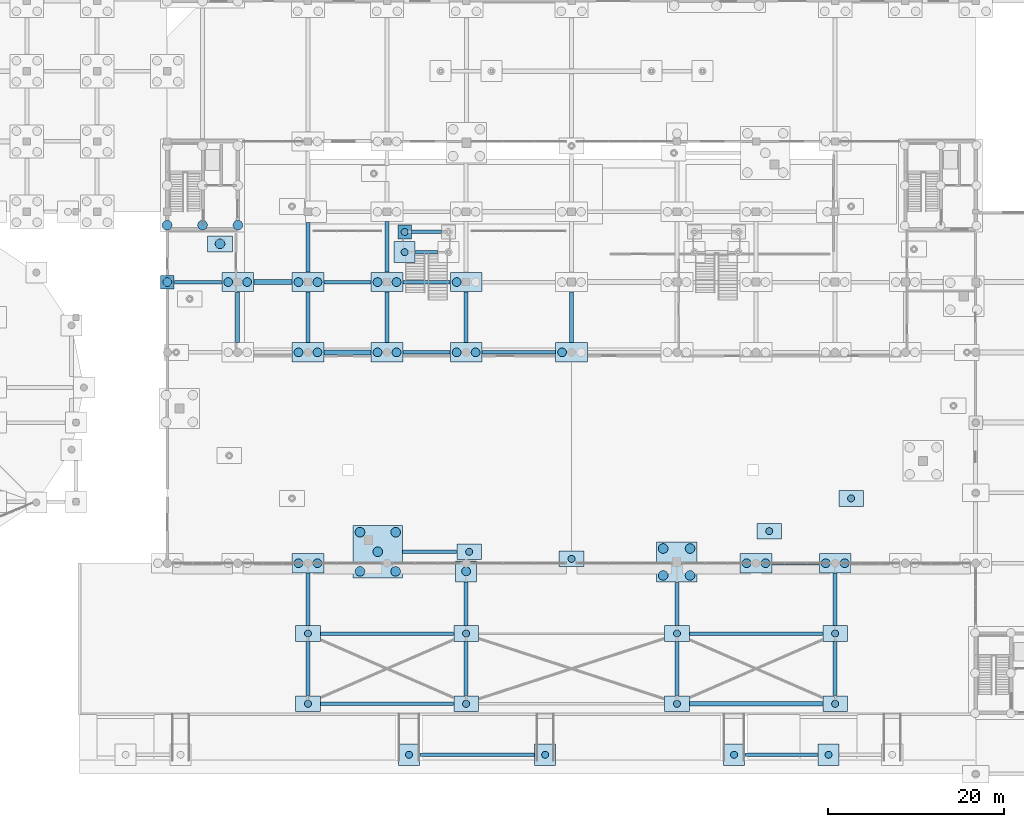
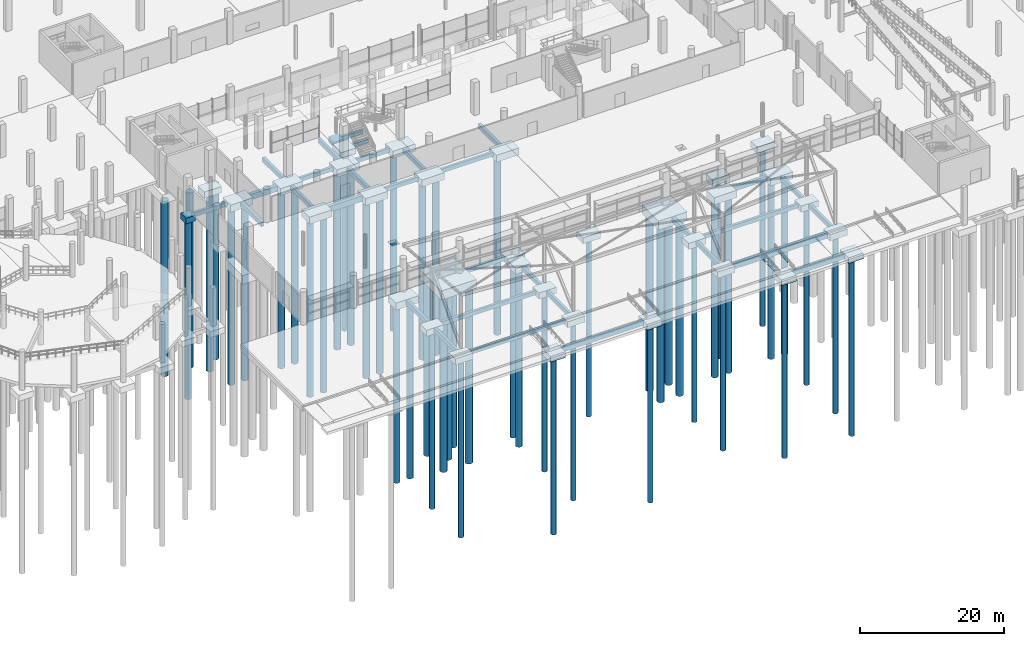
# One storey, part 2 of 98: 66 footings, 53 piles.
"""IFC4 building model written with IfcOpenShell, lengths in metres."""

import ifcopenshell
import ifcopenshell.guid

model = None  # the IFC model being written
_history = None  # IfcOwnerHistory: only IFC2X3 demands one
_inside = {}  # id of a spatial element -> (the spatial element, [elements in it])
_under = {}  # id of a project, library or spatial element -> (it, [spatial elements below it])
_declared = {}  # id of a project -> (the project, [libraries it declares])
_typed = {}  # id of a type object -> (the type object, [elements of that type])
_made_of = {}  # id of a material, layer set ... -> (it, [elements and type objects made of it])


def new_model(schema):
    """Start an empty IFC model of exactly this schema.

    Asked for "IFC4X3", IfcOpenShell would pick the latest addendum, in which some entities
    have other attributes; the version numbers below select the first issue.
    IFC2X3 requires an IfcOwnerHistory on every rooted entity: one is made here for all.
    """
    global model, _history
    if schema == "IFC4X3":
        model = ifcopenshell.file(schema_version=(4, 3, 0, 0))
    else:
        model = ifcopenshell.file(schema=schema)
    _inside.clear()
    _under.clear()
    _declared.clear()
    _typed.clear()
    _made_of.clear()
    _history = None
    if model.schema == "IFC2X3":
        org = make("IfcOrganization", Name="unknown")
        user = make(
            "IfcPersonAndOrganization",
            ThePerson=make("IfcPerson", FamilyName="unknown"),
            TheOrganization=org,
        )
        app = make(
            "IfcApplication",
            ApplicationDeveloper=org,
            Version="unknown",
            ApplicationFullName="unknown",
            ApplicationIdentifier="unknown",
        )
        _history = make(
            "IfcOwnerHistory",
            OwningUser=user,
            OwningApplication=app,
            ChangeAction="ADDED",
            CreationDate=0,
        )
    return model


def make(cls, **values):
    """One entity of the class cls with the attributes given. An attribute that is None is left unset."""
    return model.create_entity(
        cls, **{name: value for name, value in values.items() if value is not None}
    )


def rooted(cls, **values):
    """An entity with a GlobalId (a new one), such as an element, a storey or a relation."""
    return make(cls, GlobalId=ifcopenshell.guid.new(), OwnerHistory=_history, **values)


def si_unit(unit_type, name, prefix=None):
    """IfcSIUnit, for example si_unit("LENGTHUNIT", "METRE", prefix="MILLI")."""
    return make("IfcSIUnit", UnitType=unit_type, Prefix=prefix, Name=name)


def derived_unit(unit_type, elements):
    """IfcDerivedUnit: a product of units, each with its exponent."""
    return make(
        "IfcDerivedUnit",
        Elements=[
            make("IfcDerivedUnitElement", Unit=unit, Exponent=power)
            for unit, power in elements
        ],
        UnitType=unit_type,
    )


def assignment(units):
    """IfcUnitAssignment: the units of a project."""
    return None if units is None else make("IfcUnitAssignment", Units=units)


def point(xyz):
    """IfcCartesianPoint."""
    return None if xyz is None else make("IfcCartesianPoint", Coordinates=xyz)


def direction(xyz):
    """IfcDirection."""
    return None if xyz is None else make("IfcDirection", DirectionRatios=xyz)


def frame(location, z_axis=None, x_axis=None):
    """IfcAxis2Placement3D, a coordinate frame: its origin and axes. An axis left out is left unset."""
    return make(
        "IfcAxis2Placement3D",
        Location=point(location),
        Axis=direction(z_axis),
        RefDirection=direction(x_axis),
    )


def frame_2d(location, x_axis=None):
    """IfcAxis2Placement2D, a coordinate frame in the plane: its origin and x axis."""
    return make(
        "IfcAxis2Placement2D", Location=point(location), RefDirection=direction(x_axis)
    )


def origin():
    """The frame at (0, 0, 0) with its axes left unset."""
    return frame((0.0, 0.0, 0.0))


def origin_2d():
    """The frame at (0, 0) in the plane with its x axis left unset."""
    return frame_2d((0.0, 0.0))


def place(relative_to, where):
    """IfcLocalPlacement: puts the frame where relative to a parent placement (None: the world)."""
    return make(
        "IfcLocalPlacement", PlacementRelTo=relative_to, RelativePlacement=where
    )


def context(
    kind, dimensions, precision=None, world=None, true_north=None, identifier=None
):
    """IfcGeometricRepresentationContext, for example the 3D "Model" context."""
    return make(
        "IfcGeometricRepresentationContext",
        ContextIdentifier=identifier,
        ContextType=kind,
        CoordinateSpaceDimension=dimensions,
        Precision=precision,
        WorldCoordinateSystem=world,
        TrueNorth=true_north,
    )


def subcontext(parent, identifier, kind, view, scale=None):
    """IfcGeometricRepresentationSubContext, for example "Body" below "Model"."""
    return make(
        "IfcGeometricRepresentationSubContext",
        ContextIdentifier=identifier,
        ContextType=kind,
        ParentContext=parent,
        TargetScale=scale,
        TargetView=view,
    )


def project(units=None, contexts=None):
    """IfcProject with its units and contexts."""
    return rooted(
        "IfcProject",
        Name="project",
        RepresentationContexts=contexts,
        UnitsInContext=assignment(units),
    )


def spatial(cls, under=None, at=None, **own):
    """A site, building, storey or space (cls), placed at a placement, below another one or the project."""
    s = rooted(cls, ObjectPlacement=at, **own)
    if under is not None:
        _under.setdefault(under.id(), (under, []))[1].append(s)
    return s


def profile(cls, at=None, kind="AREA", **sizes):
    """A parametric profile (cls). Its sizes go by their IFC names, for example OverallWidth=200.0."""
    return make(cls, ProfileType=kind, Position=at, **sizes)


def rectangle(**sizes):
    """IfcRectangleProfileDef."""
    return profile("IfcRectangleProfileDef", **sizes)


def circle(**sizes):
    """IfcCircleProfileDef."""
    return profile("IfcCircleProfileDef", **sizes)


def extrude(swept, where, along, depth):
    """IfcExtrudedAreaSolid: the profile swept, set in the frame where, extruded along a direction by depth."""
    return make(
        "IfcExtrudedAreaSolid",
        SweptArea=swept,
        Position=where,
        ExtrudedDirection=direction(along),
        Depth=depth,
    )


def shape(context_of_items, identifier, shape_type, items):
    """IfcShapeRepresentation: the items that make up one representation, for example the "Body"."""
    return make(
        "IfcShapeRepresentation",
        ContextOfItems=context_of_items,
        RepresentationIdentifier=identifier,
        RepresentationType=shape_type,
        Items=items,
    )


def material(Name=None, Category=None):
    """IfcMaterial."""
    return make("IfcMaterial", Name=Name, Category=Category)


def layer(
    of_material, thickness, ventilated=None, Name=None, Category=None, Priority=None
):
    """IfcMaterialLayer: one layer of a wall or slab, of a material (None: an air gap)."""
    return make(
        "IfcMaterialLayer",
        Material=of_material,
        LayerThickness=thickness,
        IsVentilated=ventilated,
        Name=Name,
        Category=Category,
        Priority=Priority,
    )


def layer_set(layers, Name=None):
    """IfcMaterialLayerSet."""
    return make("IfcMaterialLayerSet", MaterialLayers=layers, LayerSetName=Name)


def material_profile(
    of_material, cross_section, Name=None, Category=None, Priority=None
):
    """IfcMaterialProfile: a cross section and its material."""
    return make(
        "IfcMaterialProfile",
        Name=Name,
        Material=of_material,
        Profile=cross_section,
        Priority=Priority,
        Category=Category,
    )


def profile_set(profiles, Name=None, composite=None):
    """IfcMaterialProfileSet."""
    return make(
        "IfcMaterialProfileSet",
        Name=Name,
        MaterialProfiles=profiles,
        CompositeProfile=composite,
    )


def made_of(thing, what):
    """Note that an element or type object is made of a material, layer set ...; save() writes the relation."""
    if what is not None:
        _made_of.setdefault(what.id(), (what, []))[1].append(thing)
    return thing


def type_object(cls, material=None, **own):
    """A type object (cls), such as IfcWallType, which elements share."""
    return made_of(rooted(cls, **own), material)


def element(
    cls,
    number,
    at=None,
    inside=None,
    cuts=None,
    type_object=None,
    material=None,
    context=None,
    identifier="Body",
    shape_type=None,
    held_by="IfcProductDefinitionShape",
    body=None,
    shapes=None,
    **own,
):
    """One element of the class cls, such as IfcWall. Its Tag is "e" and its number.

    at: its placement. inside: the storey or other place that contains it. cuts: it is an
    opening in that element (IfcRelVoidsElement). A single representation is given by context,
    identifier, shape_type and body (its items); several are given by shapes. held_by: the class
    of the entity that holds the representations. save() writes the other relations.
    """
    e = rooted(cls, Tag="e%d" % number, ObjectPlacement=at, **own)
    if body is not None:
        shapes = [shape(context, identifier, shape_type, body)]
    if shapes is not None:
        e.Representation = make(held_by, Representations=shapes)
    if inside is not None:
        _inside.setdefault(inside.id(), (inside, []))[1].append(e)
    if cuts is not None:
        rooted(
            "IfcRelVoidsElement", RelatingBuildingElement=cuts, RelatedOpeningElement=e
        )
    if type_object is not None:
        _typed.setdefault(type_object.id(), (type_object, []))[1].append(e)
    return made_of(e, material)


def aggregate(whole, parts):
    """IfcRelAggregates: a whole, such as a stair, and the parts it consists of."""
    return rooted("IfcRelAggregates", RelatingObject=whole, RelatedObjects=parts)


def save(model, path):
    """Write the relations noted so far, then the file.

    IfcRelAggregates (storeys below a building ...), IfcRelContainedInSpatialStructure (elements
    in a storey), IfcRelDefinesByType, IfcRelAssociatesMaterial and IfcRelDeclares: one each for
    every whole, place, type object, material and project.
    """
    for whole, parts in _under.values():
        aggregate(whole, parts)
    for where, things in _inside.values():
        rooted(
            "IfcRelContainedInSpatialStructure",
            RelatedElements=things,
            RelatingStructure=where,
        )
    for kind, things in _typed.values():
        rooted("IfcRelDefinesByType", RelatedObjects=things, RelatingType=kind)
    for what, things in _made_of.values():
        rooted("IfcRelAssociatesMaterial", RelatedObjects=things, RelatingMaterial=what)
    for by, libraries in _declared.values():
        rooted("IfcRelDeclares", RelatingContext=by, RelatedDefinitions=libraries)
    model.write(path)


model = new_model("IFC4")

# Units and contexts
model_context = context("Model", 3, precision=1e-05, world=origin(), true_north=direction((0.0, 1.0)))
body_context = subcontext(model_context, "Body", "Model", "MODEL_VIEW")
ifc_project = project(units=[si_unit("LENGTHUNIT", "METRE"), si_unit("AREAUNIT", "SQUARE_METRE"), si_unit("VOLUMEUNIT", "CUBIC_METRE"), si_unit("PLANEANGLEUNIT", "RADIAN"), si_unit("MASSUNIT", "GRAM", prefix="KILO"), si_unit("THERMODYNAMICTEMPERATUREUNIT", "KELVIN"), derived_unit("THERMALTRANSMITTANCEUNIT", [(si_unit("POWERUNIT", "WATT"), 1), (si_unit("AREAUNIT", "SQUARE_METRE"), -1), (si_unit("THERMODYNAMICTEMPERATUREUNIT", "KELVIN"), -1)])], contexts=[model_context])

# Site, building, storey
site_placement = place(None, origin())
site = spatial("IfcSite", under=ifc_project, at=site_placement, CompositionType="ELEMENT")
building_placement = place(site_placement, origin())
building = spatial("IfcBuilding", under=site, at=building_placement, Name="Haiyu Intermodal Mobility Hub", CompositionType="ELEMENT")
storey_placement = place(building_placement, origin())
storey = spatial("IfcBuildingStorey", under=building, at=storey_placement, Name="L00", CompositionType="ELEMENT", Elevation=0.0)

# Footings
ifc_material = material(Name="Concrete C40", Category="concrete")
ifc_layer_1 = layer(ifc_material, 1.5)
ifc_layer_set_1 = layer_set([ifc_layer_1], Name="Concrete C40")
footing_type_1 = type_object("IfcFootingType", Name="CAP-PC01", PredefinedType="PILE_CAP", material=ifc_layer_set_1)
footing_1_placement = place(storey_placement, frame((119.95703125, 40.14208984375, -2.39990234375), z_axis=(0.0, 0.0, 1.0), x_axis=(1.0, 0.0, 0.0)))
element("IfcFooting", 1, at=footing_1_placement, inside=storey, type_object=footing_type_1, Name="Pile Cap CAP-MP-07", PredefinedType="PILE_CAP", context=body_context, shape_type="SweptSolid", body=[
    extrude(rectangle(XDim=4.60009765625, YDim=4.60009765625, at=origin_2d()), origin(), (0.0, 0.0, 1.0), 1.5),
])
ifc_layer_2 = layer(ifc_material, 1.199951171875)
ifc_layer_set_2 = layer_set([ifc_layer_2], Name="Concrete C40")
footing_type_2 = type_object("IfcFootingType", Name="CAP-PC04", PredefinedType="PILE_CAP", material=ifc_layer_set_2)
for number, where, z_axis, x_axis, name in (
    (2, (70.0, 72.0, -2.10009765625), (0.0, 0.0, 1.0), (1.0, 0.0, 0.0), "Pile Cap CAP-V1-8H"),
    (3, (78.0, 40.0, -2.10009765625), (0.0, 0.0, 1.0), (1.0, 0.0, 0.0), "Pile Cap CAP-V1-9D"),
    (4, (78.0, 64.0, -2.10009765625), (0.0, 0.0, 1.0), (1.0, 0.0, 0.0), "Pile Cap CAP-V1-9G"),
    (5, (78.0, 72.0, -2.10009765625), (0.0, 0.0, 1.0), (1.0, 0.0, 0.0), "Pile Cap CAP-V1-9H"),
    (6, (87.0, 64.0, -2.10009765625), (0.0, 0.0, 1.0), (1.0, 0.0, 0.0), "Pile Cap CAP-V1-10G"),
    (7, (87.0, 72.0, -2.10009765625), (0.0, 0.0, 1.0), (1.0, 0.0, 0.0), "Pile Cap CAP-V1-10H"),
    (8, (96.0, 64.0, -2.10009765625), (0.0, 0.0, 1.0), (1.0, 0.0, 0.0), "Pile Cap CAP-V1-11G"),
    (9, (96.0, 72.0, -2.10009765625), (0.0, 0.0, 1.0), (1.0, 0.0, 0.0), "Pile Cap CAP-V1-11H"),
    (10, (108.0, 64.0, -2.10009765625), (0.0, 0.0, 1.0), (1.0, 0.0, 0.0), "Pile Cap CAP-V1-12G"),
    (11, (129.0, 40.0, -2.10009765625), (0.0, 0.0, 1.0), (1.0, 0.0, 0.0), "Pile Cap CAP-V1-14D"),
    (12, (138.0, 40.0, -2.10009765625), (0.0, 0.0, 1.0), (1.0, 0.0, 0.0), "Pile Cap CAP-V1-15D"),
):
    element("IfcFooting", number, at=place(storey_placement, frame(where, z_axis=z_axis, x_axis=x_axis)), inside=storey, type_object=footing_type_2, Name=name, PredefinedType="PILE_CAP", context=body_context, shape_type="SweptSolid", body=[
        extrude(rectangle(XDim=3.60009765625, YDim=2.199951171875, at=origin_2d()), origin(), (0.0, 0.0, 1.0), 1.199951171875),
    ])
ifc_layer_3 = layer(ifc_material, 1.050048828125)
ifc_layer_set_3 = layer_set([ifc_layer_3], Name="Concrete C40")
footing_type_3 = type_object("IfcFootingType", Name="CAP-PC07", PredefinedType="PILE_CAP", material=ifc_layer_set_3)
for number, where, z_axis, x_axis, name in (
    (13, (67.989990234375, 76.35009765625, -1.9501953125), (0.0, 0.0, 1.0), (1.0, 0.0, 0.0), "Pile Cap CAP-MP-04"),
    (14, (96.35302734375, 41.301025390625, -1.9501953125), (0.0, 0.0, 1.0), (1.0, 0.0, 0.0), "Pile Cap CAP-RCOL-18"),
    (15, (108.0, 40.5, -1.9501953125), (0.0, 0.0, 1.0), (1.0, 0.0, 0.0), "Pile Cap CAP-RCOL-19"),
    (16, (130.5, 43.64794921875, -1.9501953125), (0.0, 0.0, 1.0), (1.0, 0.0, 0.0), "Pile Cap CAP-RCOL-21"),
    (17, (139.820068359375, 47.383056640625, -1.9501953125), (0.0, 0.0, 1.0), (1.0, 0.0, 0.0), "Pile Cap CAP-RCOL-22"),
    (18, (78.0, 24.0, -1.9501953125), (0.0, 0.0, 1.0), (1.0, 0.0, 0.0), "Pile Cap CAP-CAN-9B"),
    (19, (78.0, 32.0, -1.9501953125), (0.0, 0.0, 1.0), (1.0, 0.0, 0.0), "Pile Cap CAP-CAN-9C"),
    (20, (96.0, 24.0, -1.9501953125), (0.0, 0.0, 1.0), (1.0, 0.0, 0.0), "Pile Cap CAP-CAN-11B"),
    (21, (96.0, 32.0, -1.9501953125), (0.0, 0.0, 1.0), (1.0, 0.0, 0.0), "Pile Cap CAP-CAN-11C"),
    (22, (120.0, 24.0, -1.9501953125), (0.0, 0.0, 1.0), (1.0, 0.0, 0.0), "Pile Cap CAP-CAN-13B"),
    (23, (120.0, 32.0, -1.9501953125), (0.0, 0.0, 1.0), (1.0, 0.0, 0.0), "Pile Cap CAP-CAN-13C"),
    (24, (138.0, 24.0, -1.9501953125), (0.0, 0.0, 1.0), (1.0, 0.0, 0.0), "Pile Cap CAP-CAN-15B"),
    (25, (138.0, 32.0, -1.9501953125), (0.0, 0.0, 1.0), (1.0, 0.0, 0.0), "Pile Cap CAP-CAN-15C"),
):
    element("IfcFooting", number, at=place(storey_placement, frame(where, z_axis=z_axis, x_axis=x_axis)), inside=storey, type_object=footing_type_3, Name=name, PredefinedType="PILE_CAP", context=body_context, shape_type="SweptSolid", body=[
        extrude(rectangle(XDim=2.800048828125, YDim=1.800048828125, at=origin_2d()), origin(), (0.0, 0.0, 1.0), 1.050048828125),
    ])
ifc_layer_4 = layer(ifc_material, 1.0)
ifc_layer_set_4 = layer_set([ifc_layer_4], Name="Concrete C40")
footing_type_4 = type_object("IfcFootingType", Name="CAP-PC10", PredefinedType="PILE_CAP", material=ifc_layer_set_4)
for number, where, z_axis, x_axis, name in (
    (26, (96.0, 39.080078125, -1.89990234375), (0.0, 0.0, 1.0), (1.0, 0.0, 0.0), "Pile Cap CAP-V1-11D"),
    (27, (89.0, 75.39990234375, -1.89990234375), (0.0, 0.0, 1.0), (1.0, 0.0, 0.0), "Pile Cap CAP-MST1-WS"),
    (28, (89.5, 18.199951171875, -1.89990234375), (0.0, 0.0, 1.0), (1.0, 0.0, 0.0), "Pile Cap CAP-ACC-03"),
    (29, (126.5, 18.199951171875, -1.89990234375), (0.0, 0.0, 1.0), (1.0, 0.0, 0.0), "Pile Cap CAP-ACC-04"),
    (30, (105.0, 18.199951171875, -1.89990234375), (0.0, 0.0, 1.0), (1.0, 0.0, 0.0), "Pile Cap CAP-ACC-05"),
    (31, (137.25, 18.199951171875, -1.89990234375), (0.0, 0.0, 1.0), (1.0, 0.0, 0.0), "Pile Cap CAP-VEH-S2"),
):
    element("IfcFooting", number, at=place(storey_placement, frame(where, z_axis=z_axis, x_axis=x_axis)), inside=storey, type_object=footing_type_4, Name=name, PredefinedType="PILE_CAP", context=body_context, shape_type="SweptSolid", body=[
        extrude(rectangle(XDim=2.39990234375, YDim=2.39990234375, at=origin_2d()), origin(), (0.0, 0.0, 1.0), 1.0),
    ])
ifc_layer_5 = layer(ifc_material, 0.949951171875)
ifc_layer_set_5 = layer_set([ifc_layer_5], Name="Concrete C40")
footing_type_5 = type_object("IfcFootingType", Name="CAP-PC17", PredefinedType="PILE_CAP", material=ifc_layer_set_5)
for number, where, z_axis, x_axis, name in (
    (32, (62.0, 72.0, -1.85009765625), (0.0, 0.0, 1.0), (1.0, 0.0, 0.0), "Pile Cap CAP-V1-7H"),
    (33, (89.0, 77.699951171875, -1.85009765625), (0.0, 0.0, 1.0), (1.0, 0.0, 0.0), "Pile Cap CAP-MST1-WN"),
):
    element("IfcFooting", number, at=place(storey_placement, frame(where, z_axis=z_axis, x_axis=x_axis)), inside=storey, type_object=footing_type_5, Name=name, PredefinedType="PILE_CAP", context=body_context, shape_type="SweptSolid", body=[
        extrude(rectangle(XDim=1.550048828125, YDim=1.550048828125, at=origin_2d()), origin(), (0.0, 0.0, 1.0), 0.949951171875),
    ])
ifc_layer_6 = layer(ifc_material, 1.550048828125)
ifc_layer_set_6 = layer_set([ifc_layer_6], Name="Concrete C40")
footing_type_6 = type_object("IfcFootingType", Name="CAP-PC18", PredefinedType="PILE_CAP", material=ifc_layer_set_6)
footing_2_placement = place(storey_placement, frame((85.949951171875, 41.300048828125, -2.4501953125), z_axis=(0.0, 0.0, 1.0), x_axis=(1.0, 0.0, 0.0)))
element("IfcFooting", 34, at=footing_2_placement, inside=storey, type_object=footing_type_6, Name="Pile Cap CAP-MP-06", PredefinedType="PILE_CAP", context=body_context, shape_type="SweptSolid", body=[
    extrude(rectangle(XDim=5.60009765625, YDim=6.0, at=origin_2d()), origin(), (0.0, 0.0, 1.0), 1.550048828125),
])
ifc_material_profile_1 = material_profile(ifc_material, rectangle(XDim=0.449951171875, YDim=0.75, at=origin_2d()), Name="FB450x750")
ifc_profile_set_1 = profile_set([ifc_material_profile_1], Name="Concrete C40")
footing_type_7 = type_object("IfcFootingType", Name="FBM-FB02", PredefinedType="FOOTING_BEAM", material=ifc_profile_set_1)
footing_3_placement = place(storey_placement, frame((90.72998046875, 18.199951171875, -1.27490234375), z_axis=(1.0, 0.0, 0.0), x_axis=(0.0, 1.0, 0.0)))
element("IfcFooting", 35, at=footing_3_placement, inside=storey, type_object=footing_type_7, Name="Foundation Tie Beam FBM-X-008", PredefinedType="FOOTING_BEAM", context=body_context, shape_type="SweptSolid", body=[
    extrude(rectangle(XDim=0.449951171875, YDim=0.75, at=origin_2d()), origin(), (0.0, 0.0, 1.0), 13.0400390625),
])
footing_4_placement = place(storey_placement, frame((127.72998046875, 18.199951171875, -1.27490234375), z_axis=(1.0, 0.0, 0.0), x_axis=(0.0, 1.0, 0.0)))
element("IfcFooting", 36, at=footing_4_placement, inside=storey, type_object=footing_type_7, Name="Foundation Tie Beam FBM-X-009", PredefinedType="FOOTING_BEAM", context=body_context, shape_type="SweptSolid", body=[
    extrude(rectangle(XDim=0.449951171875, YDim=0.75, at=origin_2d()), origin(), (0.0, 0.0, 1.0), 8.2900390625),
])
footing_5_placement = place(storey_placement, frame((130.830078125, 40.0, -1.27490234375), z_axis=(1.0, 0.0, 0.0), x_axis=(0.0, 1.0, 0.0)))
element("IfcFooting", 37, at=footing_5_placement, inside=storey, type_object=footing_type_7, Name="Foundation Tie Beam FBM-X-028", PredefinedType="FOOTING_BEAM", context=body_context, shape_type="SweptSolid", body=[
    extrude(rectangle(XDim=0.449951171875, YDim=0.75, at=origin_2d()), origin(), (0.0, 0.0, 1.0), 5.33984375),
])
footing_6_placement = place(storey_placement, frame((70.0, 65.1298828125, -1.27490234375), z_axis=(0.0, 1.0, 0.0), x_axis=(-1.0, 0.0, 0.0)))
element("IfcFooting", 38, at=footing_6_placement, inside=storey, type_object=footing_type_7, Name="Foundation Tie Beam FBM-Y-277", PredefinedType="FOOTING_BEAM", context=body_context, shape_type="SweptSolid", body=[
    extrude(rectangle(XDim=0.449951171875, YDim=0.75, at=origin_2d()), origin(), (0.0, 0.0, 1.0), 5.740234375),
])
footing_7_placement = place(storey_placement, frame((78.0, 24.929931640625, -1.27490234375), z_axis=(0.0, 1.0, 0.0), x_axis=(-1.0, 0.0, 0.0)))
element("IfcFooting", 39, at=footing_7_placement, inside=storey, type_object=footing_type_7, Name="Foundation Tie Beam FBM-Y-280", PredefinedType="FOOTING_BEAM", context=body_context, shape_type="SweptSolid", body=[
    extrude(rectangle(XDim=0.449951171875, YDim=0.75, at=origin_2d()), origin(), (0.0, 0.0, 1.0), 6.14013671875),
])
footing_8_placement = place(storey_placement, frame((78.0, 32.929931640625, -1.27490234375), z_axis=(0.0, 1.0, 0.0), x_axis=(-1.0, 0.0, 0.0)))
element("IfcFooting", 40, at=footing_8_placement, inside=storey, type_object=footing_type_7, Name="Foundation Tie Beam FBM-Y-281", PredefinedType="FOOTING_BEAM", context=body_context, shape_type="SweptSolid", body=[
    extrude(rectangle(XDim=0.449951171875, YDim=0.75, at=origin_2d()), origin(), (0.0, 0.0, 1.0), 5.940185546875),
])
footing_9_placement = place(storey_placement, frame((78.0, 65.1298828125, -1.27490234375), z_axis=(0.0, 1.0, 0.0), x_axis=(-1.0, 0.0, 0.0)))
element("IfcFooting", 41, at=footing_9_placement, inside=storey, type_object=footing_type_7, Name="Foundation Tie Beam FBM-Y-282", PredefinedType="FOOTING_BEAM", context=body_context, shape_type="SweptSolid", body=[
    extrude(rectangle(XDim=0.449951171875, YDim=0.75, at=origin_2d()), origin(), (0.0, 0.0, 1.0), 5.740234375),
])
footing_10_placement = place(storey_placement, frame((78.0, 73.1298828125, -1.27490234375), z_axis=(0.0, 1.0, 0.0), x_axis=(-1.0, 0.0, 0.0)))
element("IfcFooting", 42, at=footing_10_placement, inside=storey, type_object=footing_type_7, Name="Foundation Tie Beam FBM-Y-283", PredefinedType="FOOTING_BEAM", context=body_context, shape_type="SweptSolid", body=[
    extrude(rectangle(XDim=0.449951171875, YDim=0.75, at=origin_2d()), origin(), (0.0, 0.0, 1.0), 5.64013671875),
])
for number, where, z_axis, x_axis, name in (
    (43, (87.0, 65.1298828125, -1.27490234375), (0.0, 1.0, 0.0), (-1.0, 0.0, 0.0), "Foundation Tie Beam FBM-Y-290"),
    (44, (87.0, 73.1298828125, -1.27490234375), (0.0, 1.0, 0.0), (-1.0, 0.0, 0.0), "Foundation Tie Beam FBM-Y-291"),
):
    element("IfcFooting", number, at=place(storey_placement, frame(where, z_axis=z_axis, x_axis=x_axis)), inside=storey, type_object=footing_type_7, Name=name, PredefinedType="FOOTING_BEAM", context=body_context, shape_type="SweptSolid", body=[
        extrude(rectangle(XDim=0.449951171875, YDim=0.75, at=origin_2d()), origin(), (0.0, 0.0, 1.0), 5.740234375),
    ])
footing_11_placement = place(storey_placement, frame((96.0, 24.929931640625, -1.27490234375), z_axis=(0.0, 1.0, 0.0), x_axis=(-1.0, 0.0, 0.0)))
element("IfcFooting", 45, at=footing_11_placement, inside=storey, type_object=footing_type_7, Name="Foundation Tie Beam FBM-Y-299", PredefinedType="FOOTING_BEAM", context=body_context, shape_type="SweptSolid", body=[
    extrude(rectangle(XDim=0.449951171875, YDim=0.75, at=origin_2d()), origin(), (0.0, 0.0, 1.0), 6.14013671875),
])
footing_12_placement = place(storey_placement, frame((96.0, 32.929931640625, -1.27490234375), z_axis=(0.0, 1.0, 0.0), x_axis=(-1.0, 0.0, 0.0)))
element("IfcFooting", 46, at=footing_12_placement, inside=storey, type_object=footing_type_7, Name="Foundation Tie Beam FBM-Y-300", PredefinedType="FOOTING_BEAM", context=body_context, shape_type="SweptSolid", body=[
    extrude(rectangle(XDim=0.449951171875, YDim=0.75, at=origin_2d()), origin(), (0.0, 0.0, 1.0), 4.920166015625),
])
for number, where, z_axis, x_axis, name in (
    (47, (96.0, 65.1298828125, -1.27490234375), (0.0, 1.0, 0.0), (-1.0, 0.0, 0.0), "Foundation Tie Beam FBM-Y-301"),
    (48, (108.0, 65.1298828125, -1.27490234375), (0.0, 1.0, 0.0), (-1.0, 0.0, 0.0), "Foundation Tie Beam FBM-Y-310"),
):
    element("IfcFooting", number, at=place(storey_placement, frame(where, z_axis=z_axis, x_axis=x_axis)), inside=storey, type_object=footing_type_7, Name=name, PredefinedType="FOOTING_BEAM", context=body_context, shape_type="SweptSolid", body=[
        extrude(rectangle(XDim=0.449951171875, YDim=0.75, at=origin_2d()), origin(), (0.0, 0.0, 1.0), 5.740234375),
    ])
footing_13_placement = place(storey_placement, frame((120.0, 24.929931640625, -1.27490234375), z_axis=(0.0, 1.0, 0.0), x_axis=(-1.0, 0.0, 0.0)))
element("IfcFooting", 49, at=footing_13_placement, inside=storey, type_object=footing_type_7, Name="Foundation Tie Beam FBM-Y-319", PredefinedType="FOOTING_BEAM", context=body_context, shape_type="SweptSolid", body=[
    extrude(rectangle(XDim=0.449951171875, YDim=0.75, at=origin_2d()), origin(), (0.0, 0.0, 1.0), 6.14013671875),
])
footing_14_placement = place(storey_placement, frame((120.0, 32.929931640625, -1.27490234375), z_axis=(0.0, 1.0, 0.0), x_axis=(-1.0, 0.0, 0.0)))
element("IfcFooting", 50, at=footing_14_placement, inside=storey, type_object=footing_type_7, Name="Foundation Tie Beam FBM-Y-320", PredefinedType="FOOTING_BEAM", context=body_context, shape_type="SweptSolid", body=[
    extrude(rectangle(XDim=0.449951171875, YDim=0.75, at=origin_2d()), origin(), (0.0, 0.0, 1.0), 4.882080078125),
])
footing_15_placement = place(storey_placement, frame((138.0, 24.929931640625, -1.27490234375), z_axis=(0.0, 1.0, 0.0), x_axis=(-1.0, 0.0, 0.0)))
element("IfcFooting", 51, at=footing_15_placement, inside=storey, type_object=footing_type_7, Name="Foundation Tie Beam FBM-Y-330", PredefinedType="FOOTING_BEAM", context=body_context, shape_type="SweptSolid", body=[
    extrude(rectangle(XDim=0.449951171875, YDim=0.75, at=origin_2d()), origin(), (0.0, 0.0, 1.0), 6.14013671875),
])
footing_16_placement = place(storey_placement, frame((138.0, 32.929931640625, -1.27490234375), z_axis=(0.0, 1.0, 0.0), x_axis=(-1.0, 0.0, 0.0)))
element("IfcFooting", 52, at=footing_16_placement, inside=storey, type_object=footing_type_7, Name="Foundation Tie Beam FBM-Y-331", PredefinedType="FOOTING_BEAM", context=body_context, shape_type="SweptSolid", body=[
    extrude(rectangle(XDim=0.449951171875, YDim=0.75, at=origin_2d()), origin(), (0.0, 0.0, 1.0), 5.940185546875),
])
ifc_material_profile_2 = material_profile(ifc_material, rectangle(XDim=0.39990234375, YDim=0.699951171875, at=origin_2d()), Name="FB400x700")
ifc_profile_set_2 = profile_set([ifc_material_profile_2], Name="Concrete C40")
footing_type_8 = type_object("IfcFootingType", Name="FBM-FB03", PredefinedType="FOOTING_BEAM", material=ifc_profile_set_2)
for number, where, z_axis, x_axis, name in (
    (53, (79.429931640625, 24.0, -1.25), (1.0, 0.0, 0.0), (0.0, 1.0, 0.0), "Foundation Tie Beam FBM-X-011"),
    (54, (79.429931640625, 32.0, -1.25), (1.0, 0.0, 0.0), (0.0, 1.0, 0.0), "Foundation Tie Beam FBM-X-018"),
    (55, (121.429931640625, 32.0, -1.25), (1.0, 0.0, 0.0), (0.0, 1.0, 0.0), "Foundation Tie Beam FBM-X-019"),
):
    element("IfcFooting", number, at=place(storey_placement, frame(where, z_axis=z_axis, x_axis=x_axis)), inside=storey, type_object=footing_type_8, Name=name, PredefinedType="FOOTING_BEAM", context=body_context, shape_type="SweptSolid", body=[
        extrude(rectangle(XDim=0.39990234375, YDim=0.699951171875, at=origin_2d()), origin(), (0.0, 0.0, 1.0), 15.14013671875),
    ])
footing_17_placement = place(storey_placement, frame((88.780029296875, 41.300048828125, -1.25), z_axis=(1.0, 0.0, 0.0), x_axis=(0.0, 1.0, 0.0)))
element("IfcFooting", 56, at=footing_17_placement, inside=storey, type_object=footing_type_8, Name="Foundation Tie Beam FBM-X-038", PredefinedType="FOOTING_BEAM", context=body_context, shape_type="SweptSolid", body=[
    extrude(rectangle(XDim=0.39990234375, YDim=0.699951171875, at=origin_2d()), origin(), (0.0, 0.0, 1.0), 6.14306640625),
])
footing_18_placement = place(storey_placement, frame((88.830078125, 64.0, -1.25), z_axis=(1.0, 0.0, 0.0), x_axis=(0.0, 1.0, 0.0)))
element("IfcFooting", 57, at=footing_18_placement, inside=storey, type_object=footing_type_8, Name="Foundation Tie Beam FBM-X-065", PredefinedType="FOOTING_BEAM", context=body_context, shape_type="SweptSolid", body=[
    extrude(rectangle(XDim=0.39990234375, YDim=0.699951171875, at=origin_2d()), origin(), (0.0, 0.0, 1.0), 5.33984375),
])
footing_19_placement = place(storey_placement, frame((97.830078125, 64.0, -1.25), z_axis=(1.0, 0.0, 0.0), x_axis=(0.0, 1.0, 0.0)))
element("IfcFooting", 58, at=footing_19_placement, inside=storey, type_object=footing_type_8, Name="Foundation Tie Beam FBM-X-066", PredefinedType="FOOTING_BEAM", context=body_context, shape_type="SweptSolid", body=[
    extrude(rectangle(XDim=0.39990234375, YDim=0.699951171875, at=origin_2d()), origin(), (0.0, 0.0, 1.0), 8.33984375),
])
footing_20_placement = place(storey_placement, frame((62.804931640625, 72.0, -1.25), z_axis=(1.0, 0.0, 0.0), x_axis=(0.0, 1.0, 0.0)))
element("IfcFooting", 59, at=footing_20_placement, inside=storey, type_object=footing_type_8, Name="Foundation Tie Beam FBM-X-079", PredefinedType="FOOTING_BEAM", context=body_context, shape_type="SweptSolid", body=[
    extrude(rectangle(XDim=0.39990234375, YDim=0.699951171875, at=origin_2d()), origin(), (0.0, 0.0, 1.0), 5.364990234375),
])
for number, where, z_axis, x_axis, name in (
    (60, (79.830078125, 72.0, -1.25), (1.0, 0.0, 0.0), (0.0, 1.0, 0.0), "Foundation Tie Beam FBM-X-081"),
    (61, (88.830078125, 72.0, -1.25), (1.0, 0.0, 0.0), (0.0, 1.0, 0.0), "Foundation Tie Beam FBM-X-082"),
):
    element("IfcFooting", number, at=place(storey_placement, frame(where, z_axis=z_axis, x_axis=x_axis)), inside=storey, type_object=footing_type_8, Name=name, PredefinedType="FOOTING_BEAM", context=body_context, shape_type="SweptSolid", body=[
        extrude(rectangle(XDim=0.39990234375, YDim=0.699951171875, at=origin_2d()), origin(), (0.0, 0.0, 1.0), 5.33984375),
    ])
footing_21_placement = place(storey_placement, frame((90.22998046875, 75.39990234375, -1.25), z_axis=(1.0, 0.0, 0.0), x_axis=(0.0, 1.0, 0.0)))
element("IfcFooting", 62, at=footing_21_placement, inside=storey, type_object=footing_type_8, Name="Foundation Tie Beam FBM-X-094", PredefinedType="FOOTING_BEAM", context=body_context, shape_type="SweptSolid", body=[
    extrude(rectangle(XDim=0.39990234375, YDim=0.699951171875, at=origin_2d()), origin(), (0.0, 0.0, 1.0), 2.5400390625),
])
footing_22_placement = place(storey_placement, frame((89.804931640625, 77.699951171875, -1.25), z_axis=(1.0, 0.0, 0.0), x_axis=(0.0, 1.0, 0.0)))
element("IfcFooting", 63, at=footing_22_placement, inside=storey, type_object=footing_type_8, Name="Foundation Tie Beam FBM-X-098", PredefinedType="FOOTING_BEAM", context=body_context, shape_type="SweptSolid", body=[
    extrude(rectangle(XDim=0.39990234375, YDim=0.699951171875, at=origin_2d()), origin(), (0.0, 0.0, 1.0), 3.39013671875),
])
ifc_material_profile_3 = material_profile(ifc_material, rectangle(XDim=0.550048828125, YDim=0.949951171875, at=origin_2d()), Name="FB550x950")
ifc_profile_set_3 = profile_set([ifc_material_profile_3], Name="Concrete C40")
footing_type_9 = type_object("IfcFootingType", Name="FBM-FB04", PredefinedType="FOOTING_BEAM", material=ifc_profile_set_3)
footing_23_placement = place(storey_placement, frame((121.429931640625, 24.0, -1.375), z_axis=(1.0, 0.0, 0.0), x_axis=(0.0, 1.0, 0.0)))
element("IfcFooting", 64, at=footing_23_placement, inside=storey, type_object=footing_type_9, Name="Foundation Tie Beam FBM-X-012", PredefinedType="FOOTING_BEAM", context=body_context, shape_type="SweptSolid", body=[
    extrude(rectangle(XDim=0.550048828125, YDim=0.949951171875, at=origin_2d()), origin(), (0.0, 0.0, 1.0), 15.14013671875),
])
footing_24_placement = place(storey_placement, frame((79.830078125, 64.0, -1.375), z_axis=(1.0, 0.0, 0.0), x_axis=(0.0, 1.0, 0.0)))
element("IfcFooting", 65, at=footing_24_placement, inside=storey, type_object=footing_type_9, Name="Foundation Tie Beam FBM-X-064", PredefinedType="FOOTING_BEAM", context=body_context, shape_type="SweptSolid", body=[
    extrude(rectangle(XDim=0.550048828125, YDim=0.949951171875, at=origin_2d()), origin(), (0.0, 0.0, 1.0), 5.33984375),
])
footing_25_placement = place(storey_placement, frame((71.830078125, 72.0, -1.375), z_axis=(1.0, 0.0, 0.0), x_axis=(0.0, 1.0, 0.0)))
element("IfcFooting", 66, at=footing_25_placement, inside=storey, type_object=footing_type_9, Name="Foundation Tie Beam FBM-X-080", PredefinedType="FOOTING_BEAM", context=body_context, shape_type="SweptSolid", body=[
    extrude(rectangle(XDim=0.550048828125, YDim=0.949951171875, at=origin_2d()), origin(), (0.0, 0.0, 1.0), 4.33984375),
])

# Piles
ifc_material_profile_4 = material_profile(ifc_material, circle(Radius=0.550048828125, at=origin_2d()), Name="PILE-D1100")
ifc_profile_set_4 = profile_set([ifc_material_profile_4], Name="Concrete C40")
pile_type_1 = type_object("IfcPileType", Name="PILE-PL01", PredefinedType="BORED", material=ifc_profile_set_4)
for number, where, z_axis, x_axis, name in (
    (67, (61.969970703125, 78.469970703125, -2.300048828125), (0.0, 0.0, -1.0), (1.0, 0.0, 0.0), "Bored Pile CAP-CORE-C1-P1"),
    (68, (66.0, 78.469970703125, -2.300048828125), (0.0, 0.0, -1.0), (1.0, 0.0, 0.0), "Bored Pile CAP-CORE-C1-P4"),
    (69, (70.030029296875, 78.469970703125, -2.300048828125), (0.0, 0.0, -1.0), (1.0, 0.0, 0.0), "Bored Pile CAP-CORE-C1-P7"),
):
    element("IfcPile", number, at=place(storey_placement, frame(where, z_axis=z_axis, x_axis=x_axis)), inside=storey, type_object=pile_type_1, Name=name, PredefinedType="BORED", context=body_context, shape_type="SweptSolid", body=[
        extrude(circle(Radius=0.550048828125, at=origin_2d()), origin(), (0.0, 0.0, 1.0), 29.699951171875),
    ])
for number, where, z_axis, x_axis, name in (
    (70, (83.919921875, 39.070068359375, -2.35009765625), (0.0, 0.0, -1.0), (1.0, 0.0, 0.0), "Bored Pile CAP-MP-06-P1"),
    (71, (87.97998046875, 39.070068359375, -2.35009765625), (0.0, 0.0, -1.0), (1.0, 0.0, 0.0), "Bored Pile CAP-MP-06-P2"),
    (72, (83.919921875, 43.530029296875, -2.35009765625), (0.0, 0.0, -1.0), (1.0, 0.0, 0.0), "Bored Pile CAP-MP-06-P3"),
    (73, (87.97998046875, 43.530029296875, -2.35009765625), (0.0, 0.0, -1.0), (1.0, 0.0, 0.0), "Bored Pile CAP-MP-06-P4"),
    (74, (85.949951171875, 41.300048828125, -2.35009765625), (0.0, 0.0, -1.0), (1.0, 0.0, 0.0), "Bored Pile CAP-MP-06-P5"),
):
    element("IfcPile", number, at=place(storey_placement, frame(where, z_axis=z_axis, x_axis=x_axis)), inside=storey, type_object=pile_type_1, Name=name, PredefinedType="BORED", context=body_context, shape_type="SweptSolid", body=[
        extrude(circle(Radius=0.550048828125, at=origin_2d()), origin(), (0.0, 0.0, 1.0), 29.64990234375),
    ])
pile_1_placement = place(storey_placement, frame((67.989990234375, 76.35009765625, -1.85009765625), z_axis=(0.0, 0.0, -1.0), x_axis=(1.0, 0.0, 0.0)))
element("IfcPile", 75, at=pile_1_placement, inside=storey, type_object=pile_type_1, Name="Bored Pile CAP-MP-04-P1", PredefinedType="BORED", context=body_context, shape_type="SweptSolid", body=[
    extrude(circle(Radius=0.550048828125, at=origin_2d()), origin(), (0.0, 0.0, 1.0), 30.14990234375),
])
for number, where, z_axis, x_axis, name in (
    (76, (118.427001953125, 38.612060546875, -2.300048828125), (0.0, 0.0, -1.0), (1.0, 0.0, 0.0), "Bored Pile CAP-MP-07-P1"),
    (77, (121.487060546875, 38.612060546875, -2.300048828125), (0.0, 0.0, -1.0), (1.0, 0.0, 0.0), "Bored Pile CAP-MP-07-P2"),
    (78, (118.427001953125, 41.672119140625, -2.300048828125), (0.0, 0.0, -1.0), (1.0, 0.0, 0.0), "Bored Pile CAP-MP-07-P3"),
    (79, (121.487060546875, 41.672119140625, -2.300048828125), (0.0, 0.0, -1.0), (1.0, 0.0, 0.0), "Bored Pile CAP-MP-07-P4"),
):
    element("IfcPile", number, at=place(storey_placement, frame(where, z_axis=z_axis, x_axis=x_axis)), inside=storey, type_object=pile_type_1, Name=name, PredefinedType="BORED", context=body_context, shape_type="SweptSolid", body=[
        extrude(circle(Radius=0.550048828125, at=origin_2d()), origin(), (0.0, 0.0, 1.0), 29.699951171875),
    ])
ifc_material_profile_5 = material_profile(ifc_material, circle(Radius=0.5, at=origin_2d()), Name="PILE-D1000")
ifc_profile_set_5 = profile_set([ifc_material_profile_5], Name="Concrete C40")
pile_type_2 = type_object("IfcPileType", Name="PILE-PL02", PredefinedType="BORED", material=ifc_profile_set_5)
pile_2_placement = place(storey_placement, frame((62.0, 72.0, -1.75), z_axis=(0.0, 0.0, -1.0), x_axis=(1.0, 0.0, 0.0)))
element("IfcPile", 80, at=pile_2_placement, inside=storey, type_object=pile_type_2, Name="Bored Pile CAP-V1-7H-P1", PredefinedType="BORED", context=body_context, shape_type="SweptSolid", body=[
    extrude(circle(Radius=0.5, at=origin_2d()), origin(), (0.0, 0.0, 1.0), 30.25),
])
for number, where, z_axis, x_axis, name in (
    (81, (68.919921875, 72.0, -2.0), (0.0, 0.0, -1.0), (1.0, 0.0, 0.0), "Bored Pile CAP-V1-8H-P1"),
    (82, (71.080078125, 72.0, -2.0), (0.0, 0.0, -1.0), (1.0, 0.0, 0.0), "Bored Pile CAP-V1-8H-P2"),
    (83, (76.919921875, 40.0, -2.0), (0.0, 0.0, -1.0), (1.0, 0.0, 0.0), "Bored Pile CAP-V1-9D-P1"),
    (84, (79.080078125, 40.0, -2.0), (0.0, 0.0, -1.0), (1.0, 0.0, 0.0), "Bored Pile CAP-V1-9D-P2"),
    (85, (76.919921875, 64.0, -2.0), (0.0, 0.0, -1.0), (1.0, 0.0, 0.0), "Bored Pile CAP-V1-9G-P1"),
    (86, (79.080078125, 64.0, -2.0), (0.0, 0.0, -1.0), (1.0, 0.0, 0.0), "Bored Pile CAP-V1-9G-P2"),
    (87, (76.919921875, 72.0, -2.0), (0.0, 0.0, -1.0), (1.0, 0.0, 0.0), "Bored Pile CAP-V1-9H-P1"),
    (88, (79.080078125, 72.0, -2.0), (0.0, 0.0, -1.0), (1.0, 0.0, 0.0), "Bored Pile CAP-V1-9H-P2"),
    (89, (85.919921875, 64.0, -2.0), (0.0, 0.0, -1.0), (1.0, 0.0, 0.0), "Bored Pile CAP-V1-10G-P1"),
    (90, (88.080078125, 64.0, -2.0), (0.0, 0.0, -1.0), (1.0, 0.0, 0.0), "Bored Pile CAP-V1-10G-P2"),
    (91, (85.919921875, 72.0, -2.0), (0.0, 0.0, -1.0), (1.0, 0.0, 0.0), "Bored Pile CAP-V1-10H-P1"),
    (92, (88.080078125, 72.0, -2.0), (0.0, 0.0, -1.0), (1.0, 0.0, 0.0), "Bored Pile CAP-V1-10H-P2"),
):
    element("IfcPile", number, at=place(storey_placement, frame(where, z_axis=z_axis, x_axis=x_axis)), inside=storey, type_object=pile_type_2, Name=name, PredefinedType="BORED", context=body_context, shape_type="SweptSolid", body=[
        extrude(circle(Radius=0.5, at=origin_2d()), origin(), (0.0, 0.0, 1.0), 30.0),
    ])
pile_3_placement = place(storey_placement, frame((96.0, 39.080078125, -1.800048828125), z_axis=(0.0, 0.0, -1.0), x_axis=(1.0, 0.0, 0.0)))
element("IfcPile", 93, at=pile_3_placement, inside=storey, type_object=pile_type_2, Name="Bored Pile CAP-V1-11D-P1", PredefinedType="BORED", context=body_context, shape_type="SweptSolid", body=[
    extrude(circle(Radius=0.5, at=origin_2d()), origin(), (0.0, 0.0, 1.0), 30.199951171875),
])
for number, where, z_axis, x_axis, name in (
    (94, (94.919921875, 64.0, -2.0), (0.0, 0.0, -1.0), (1.0, 0.0, 0.0), "Bored Pile CAP-V1-11G-P1"),
    (95, (97.080078125, 64.0, -2.0), (0.0, 0.0, -1.0), (1.0, 0.0, 0.0), "Bored Pile CAP-V1-11G-P2"),
    (96, (94.919921875, 72.0, -2.0), (0.0, 0.0, -1.0), (1.0, 0.0, 0.0), "Bored Pile CAP-V1-11H-P1"),
    (97, (106.919921875, 64.0, -2.0), (0.0, 0.0, -1.0), (1.0, 0.0, 0.0), "Bored Pile CAP-V1-12G-P1"),
    (98, (127.919921875, 40.0, -2.0), (0.0, 0.0, -1.0), (1.0, 0.0, 0.0), "Bored Pile CAP-V1-14D-P1"),
    (99, (130.080078125, 40.0, -2.0), (0.0, 0.0, -1.0), (1.0, 0.0, 0.0), "Bored Pile CAP-V1-14D-P2"),
    (100, (136.919921875, 40.0, -2.0), (0.0, 0.0, -1.0), (1.0, 0.0, 0.0), "Bored Pile CAP-V1-15D-P1"),
    (101, (139.080078125, 40.0, -2.0), (0.0, 0.0, -1.0), (1.0, 0.0, 0.0), "Bored Pile CAP-V1-15D-P2"),
):
    element("IfcPile", number, at=place(storey_placement, frame(where, z_axis=z_axis, x_axis=x_axis)), inside=storey, type_object=pile_type_2, Name=name, PredefinedType="BORED", context=body_context, shape_type="SweptSolid", body=[
        extrude(circle(Radius=0.5, at=origin_2d()), origin(), (0.0, 0.0, 1.0), 30.0),
    ])
ifc_material_profile_6 = material_profile(ifc_material, circle(Radius=0.39990234375, at=origin_2d()), Name="PILE-D800")
ifc_profile_set_6 = profile_set([ifc_material_profile_6], Name="Concrete C40")
pile_type_3 = type_object("IfcPileType", Name="PILE-PL04", PredefinedType="BORED", material=ifc_profile_set_6)
for number, where, z_axis, x_axis, name in (
    (102, (96.35302734375, 41.301025390625, -1.85009765625), (0.0, 0.0, -1.0), (1.0, 0.0, 0.0), "Bored Pile CAP-RCOL-18-P1"),
    (103, (108.0, 40.5, -1.85009765625), (0.0, 0.0, -1.0), (1.0, 0.0, 0.0), "Bored Pile CAP-RCOL-19-P1"),
    (104, (130.5, 43.64794921875, -1.85009765625), (0.0, 0.0, -1.0), (1.0, 0.0, 0.0), "Bored Pile CAP-RCOL-21-P1"),
    (105, (139.820068359375, 47.383056640625, -1.85009765625), (0.0, 0.0, -1.0), (1.0, 0.0, 0.0), "Bored Pile CAP-RCOL-22-P1"),
):
    element("IfcPile", number, at=place(storey_placement, frame(where, z_axis=z_axis, x_axis=x_axis)), inside=storey, type_object=pile_type_3, Name=name, PredefinedType="BORED", context=body_context, shape_type="SweptSolid", body=[
        extrude(circle(Radius=0.39990234375, at=origin_2d()), origin(), (0.0, 0.0, 1.0), 30.14990234375),
    ])
pile_4_placement = place(storey_placement, frame((89.0, 75.39990234375, -1.800048828125), z_axis=(0.0, 0.0, -1.0), x_axis=(1.0, 0.0, 0.0)))
element("IfcPile", 106, at=pile_4_placement, inside=storey, type_object=pile_type_3, Name="Bored Pile CAP-MST1-WS-P1", PredefinedType="BORED", context=body_context, shape_type="SweptSolid", body=[
    extrude(circle(Radius=0.39990234375, at=origin_2d()), origin(), (0.0, 0.0, 1.0), 30.199951171875),
])
pile_5_placement = place(storey_placement, frame((89.0, 77.699951171875, -1.75), z_axis=(0.0, 0.0, -1.0), x_axis=(1.0, 0.0, 0.0)))
element("IfcPile", 107, at=pile_5_placement, inside=storey, type_object=pile_type_3, Name="Bored Pile CAP-MST1-WN-P1", PredefinedType="BORED", context=body_context, shape_type="SweptSolid", body=[
    extrude(circle(Radius=0.39990234375, at=origin_2d()), origin(), (0.0, 0.0, 1.0), 30.25),
])
for number, where, z_axis, x_axis, name in (
    (108, (78.0, 24.0, -1.85009765625), (0.0, 0.0, -1.0), (1.0, 0.0, 0.0), "Bored Pile CAP-CAN-9B-P1"),
    (109, (78.0, 32.0, -1.85009765625), (0.0, 0.0, -1.0), (1.0, 0.0, 0.0), "Bored Pile CAP-CAN-9C-P1"),
    (110, (96.0, 24.0, -1.85009765625), (0.0, 0.0, -1.0), (1.0, 0.0, 0.0), "Bored Pile CAP-CAN-11B-P1"),
    (111, (96.0, 32.0, -1.85009765625), (0.0, 0.0, -1.0), (1.0, 0.0, 0.0), "Bored Pile CAP-CAN-11C-P1"),
    (112, (120.0, 24.0, -1.85009765625), (0.0, 0.0, -1.0), (1.0, 0.0, 0.0), "Bored Pile CAP-CAN-13B-P1"),
    (113, (120.0, 32.0, -1.85009765625), (0.0, 0.0, -1.0), (1.0, 0.0, 0.0), "Bored Pile CAP-CAN-13C-P1"),
    (114, (138.0, 24.0, -1.85009765625), (0.0, 0.0, -1.0), (1.0, 0.0, 0.0), "Bored Pile CAP-CAN-15B-P1"),
    (115, (138.0, 32.0, -1.85009765625), (0.0, 0.0, -1.0), (1.0, 0.0, 0.0), "Bored Pile CAP-CAN-15C-P1"),
):
    element("IfcPile", number, at=place(storey_placement, frame(where, z_axis=z_axis, x_axis=x_axis)), inside=storey, type_object=pile_type_3, Name=name, PredefinedType="BORED", context=body_context, shape_type="SweptSolid", body=[
        extrude(circle(Radius=0.39990234375, at=origin_2d()), origin(), (0.0, 0.0, 1.0), 30.14990234375),
    ])
for number, where, z_axis, x_axis, name in (
    (116, (89.5, 18.199951171875, -1.800048828125), (0.0, 0.0, -1.0), (1.0, 0.0, 0.0), "Bored Pile CAP-ACC-03-P1"),
    (117, (126.5, 18.199951171875, -1.800048828125), (0.0, 0.0, -1.0), (1.0, 0.0, 0.0), "Bored Pile CAP-ACC-04-P1"),
    (118, (105.0, 18.199951171875, -1.800048828125), (0.0, 0.0, -1.0), (1.0, 0.0, 0.0), "Bored Pile CAP-ACC-05-P1"),
    (119, (137.25, 18.199951171875, -1.800048828125), (0.0, 0.0, -1.0), (1.0, 0.0, 0.0), "Bored Pile CAP-VEH-S2-P1"),
):
    element("IfcPile", number, at=place(storey_placement, frame(where, z_axis=z_axis, x_axis=x_axis)), inside=storey, type_object=pile_type_3, Name=name, PredefinedType="BORED", context=body_context, shape_type="SweptSolid", body=[
        extrude(circle(Radius=0.39990234375, at=origin_2d()), origin(), (0.0, 0.0, 1.0), 30.199951171875),
    ])

save(model, "model.ifc")
